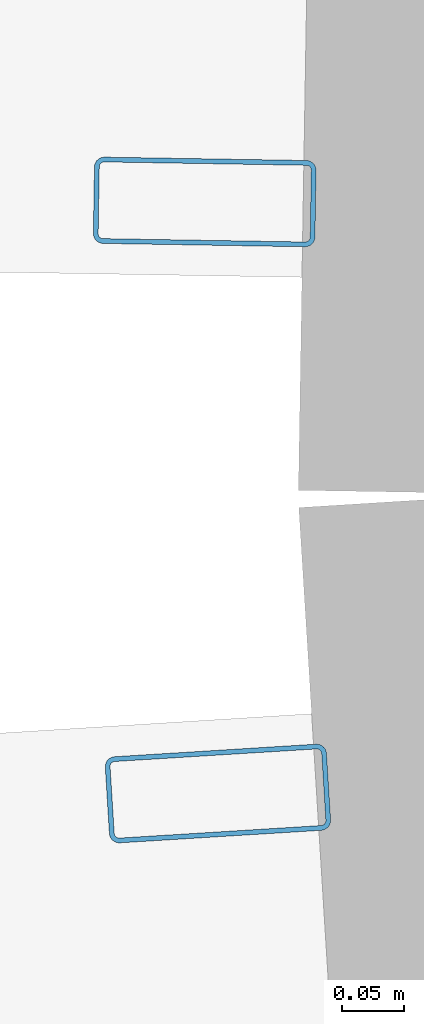
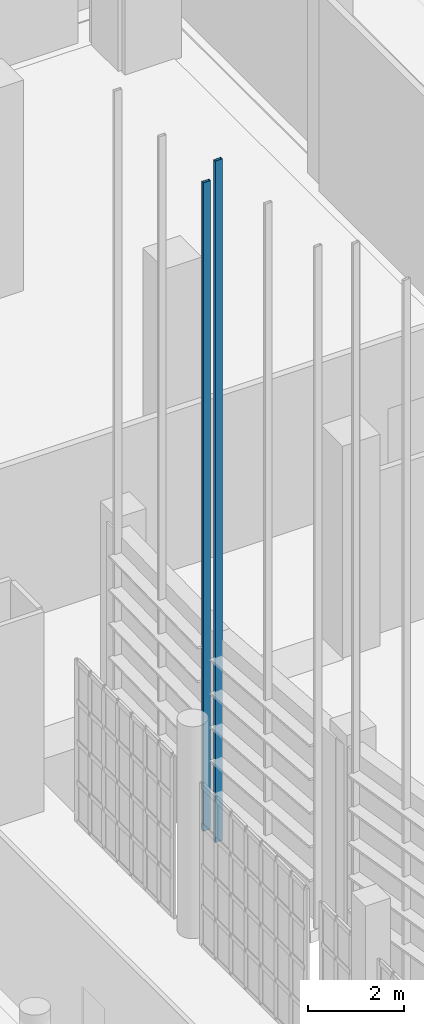
# One storey, part 193 of 372: 2 members.
"""IFC4 building model written with IfcOpenShell, lengths in metres."""

from ifc_helpers import new_model, si_unit, direction, frame, origin, origin_2d, place, context, subcontext, project, spatial, hollow_rectangle, extrude, material, material_profile, profile_set, type_object, element, save


model = new_model("IFC4")

# Units and contexts
model_context = context("Model", 3, precision=1e-05, world=origin(), true_north=direction((0.0, 1.0)))
body_context = subcontext(model_context, "Body", "Model", "MODEL_VIEW")
ifc_project = project(units=[si_unit("LENGTHUNIT", "METRE"), si_unit("AREAUNIT", "SQUARE_METRE"), si_unit("VOLUMEUNIT", "CUBIC_METRE"), si_unit("PLANEANGLEUNIT", "RADIAN"), si_unit("MASSUNIT", "GRAM", prefix="KILO")], contexts=[model_context])

# Site, building, storey
site_placement = place(None, origin())
site = spatial("IfcSite", under=ifc_project, at=site_placement, CompositionType="ELEMENT")
building_placement = place(site_placement, origin())
building = spatial("IfcBuilding", under=site, at=building_placement, Name="Kaelora Sail Theatre", CompositionType="ELEMENT")
storey_placement = place(building_placement, origin())
storey = spatial("IfcBuildingStorey", under=building, at=storey_placement, Name="L00", CompositionType="ELEMENT", Elevation=0.0)

# Members
ifc_material = material(Name="Anodised aluminium 6063-T6", Category="aluminium")
ifc_material_profile = material_profile(ifc_material, hollow_rectangle(XDim=0.070068359375, YDim=0.179931640625, WallThickness=0.00390625, InnerFilletRadius=0.00390625, OuterFilletRadius=0.008056640625, at=origin_2d()), Name="ALU-MULL 70x180x4")
ifc_profile_set = profile_set([ifc_material_profile], Name="Anodised aluminium 6063-T6")
member_type = type_object("IfcMemberType", Name="ARC-MEM-PST-160", PredefinedType="POST", material=ifc_profile_set)
member_1_placement = place(storey_placement, frame((76.477294921875, 56.121337890625, 0.0), z_axis=(0.0, 0.0, 1.0), x_axis=(-0.062093750187, 0.998070321264, 0.0)))
element("IfcMember", 1, at=member_1_placement, inside=storey, type_object=member_type, Name="Studio Theatre Sail Drum solar louvre vertical support post C19-3", PredefinedType="POST", context=body_context, shape_type="SweptSolid", body=[
    extrude(hollow_rectangle(XDim=0.070068359375, YDim=0.179931640625, WallThickness=0.00390625, InnerFilletRadius=0.00390625, OuterFilletRadius=0.008056640625, at=origin_2d()), origin(), (0.0, 0.0, 1.0), 17.365966796875),
])
member_2_placement = place(storey_placement, frame((76.466552734375, 56.6015625, 0.0), z_axis=(0.0, 0.0, 1.0), x_axis=(0.016579868188, 0.999862544538, 0.0)))
element("IfcMember", 2, at=member_2_placement, inside=storey, type_object=member_type, Name="Studio Theatre Sail Drum solar louvre vertical support post C20-1", PredefinedType="POST", context=body_context, shape_type="SweptSolid", body=[
    extrude(hollow_rectangle(XDim=0.070068359375, YDim=0.179931640625, WallThickness=0.00390625, InnerFilletRadius=0.00390625, OuterFilletRadius=0.008056640625, at=origin_2d()), origin(), (0.0, 0.0, 1.0), 16.525390625),
])

save(model, "model.ifc")
